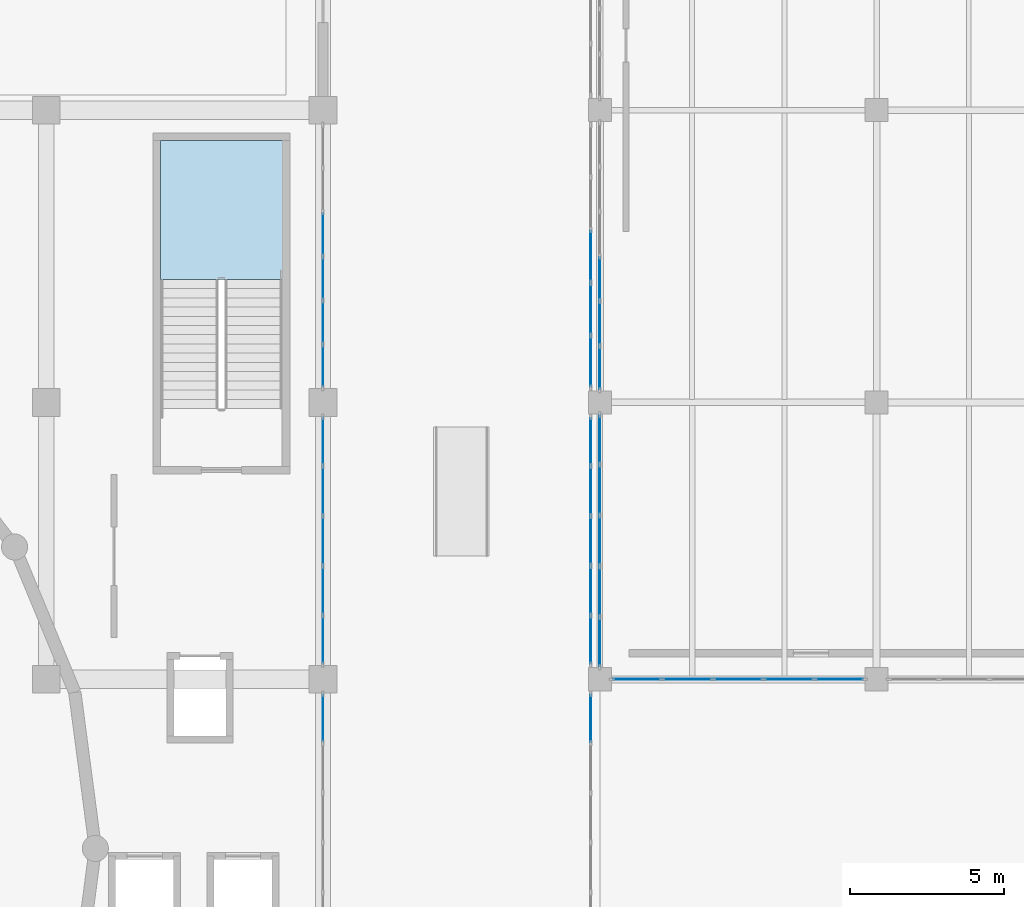
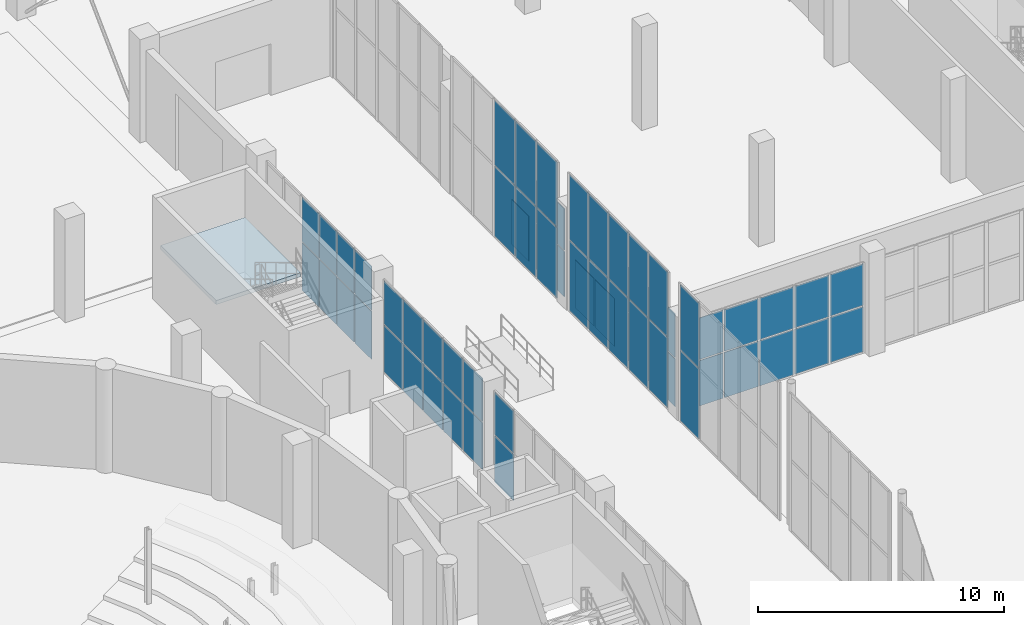
# One storey, part 73 of 103: 64 plates, 1 slab, 10 elements without a shape of their own.
"""IFC4 building model written with IfcOpenShell, lengths in metres."""

from ifc_helpers import new_model, si_unit, direction, frame, origin, origin_2d, place, context, subcontext, project, spatial, polyline, rectangle, outline, extrude, material, layer, layer_set, type_object, element, aggregate, save


model = new_model("IFC4")

# Units and contexts
model_context = context("Model", 3, precision=1e-05, world=origin(), true_north=direction((0.0, 1.0)))
body_context = subcontext(model_context, "Body", "Model", "MODEL_VIEW")
ifc_project = project(units=[si_unit("LENGTHUNIT", "METRE"), si_unit("AREAUNIT", "SQUARE_METRE"), si_unit("VOLUMEUNIT", "CUBIC_METRE"), si_unit("PLANEANGLEUNIT", "RADIAN"), si_unit("MASSUNIT", "GRAM", prefix="KILO")], contexts=[model_context])

# Site, building, storey
site_placement = place(None, origin())
site = spatial("IfcSite", under=ifc_project, at=site_placement, CompositionType="ELEMENT")
building_placement = place(site_placement, origin())
building = spatial("IfcBuilding", under=site, at=building_placement, Name="Marnock Terrace Opera House", CompositionType="ELEMENT")
storey_placement = place(building_placement, origin())
storey = spatial("IfcBuildingStorey", under=building, at=storey_placement, Name="L00", CompositionType="ELEMENT", Elevation=0.0)

# Curtain wall, plates
ifc_material_1 = material(Name="Anodised architectural bronze aluminium framing", Category="aluminium")
ifc_layer_1 = layer(ifc_material_1, 0.159912109375)
ifc_layer_set_1 = layer_set([ifc_layer_1], Name="Anodised architectural bronze aluminium framing")
curtain_wall_type_1 = type_object("IfcCurtainWallType", Name="CW-FOYER-90x51", PredefinedType="NOTDEFINED", material=ifc_layer_set_1)
curtain_wall_1_placement = place(storey_placement, origin())
curtain_wall_1 = element("IfcCurtainWall", 1, at=curtain_wall_1_placement, inside=storey, type_object=curtain_wall_type_1, Name="L00 glazed Beaux-Arts colonnade curtain wall CW-V1E-L00-07", PredefinedType="NOTDEFINED")
ifc_material_2 = material(Name="Double-glazed acoustic low-E laminated glass", Category="glass")
ifc_layer_2 = layer(ifc_material_2, 0.028076171875)
ifc_layer_set_2 = layer_set([ifc_layer_2], Name="Double-glazed acoustic low-E laminated glass")
plate_type_1 = type_object("IfcPlateType", Name="CWP-GLZ-28", PredefinedType="CURTAIN_PANEL", material=ifc_layer_set_2)
plate_1_placement = place(storey_placement, frame((109.0, 64.728271484375, 0.06005859375), z_axis=(0.0, 0.0, 1.0), x_axis=(0.0, 1.0, 0.0)))
plate_1 = element("IfcPlate", 2, at=plate_1_placement, type_object=plate_type_1, Name="CW-31 panel 5.1", PredefinedType="CURTAIN_PANEL", context=body_context, shape_type="SweptSolid", body=[
    extrude(rectangle(XDim=1.531494140625, YDim=0.028076171875, at=origin_2d()), origin(), (0.0, 0.0, 1.0), 2.2822265625),
])
plate_2_placement = place(storey_placement, frame((109.0, 64.728271484375, 2.40234375), z_axis=(0.0, 0.0, 1.0), x_axis=(0.0, 1.0, 0.0)))
plate_2 = element("IfcPlate", 3, at=plate_2_placement, type_object=plate_type_1, Name="CW-31 panel 5.2", PredefinedType="CURTAIN_PANEL", context=body_context, shape_type="SweptSolid", body=[
    extrude(rectangle(XDim=1.531494140625, YDim=0.028076171875, at=origin_2d()), origin(), (0.0, 0.0, 1.0), 2.099853515625),
])
aggregate(curtain_wall_1, [plate_1, plate_2])

curtain_wall_2_placement = place(storey_placement, origin())
curtain_wall_2 = element("IfcCurtainWall", 4, at=curtain_wall_2_placement, inside=storey, type_object=curtain_wall_type_1, Name="L00 glazed Beaux-Arts colonnade curtain wall CW-V1E-L00-09", PredefinedType="NOTDEFINED")
plate_3_placement = place(storey_placement, frame((109.0, 76.17822265625, 0.06005859375), z_axis=(0.0, 0.0, 1.0), x_axis=(0.0, 1.0, 0.0)))
plate_3 = element("IfcPlate", 5, at=plate_3_placement, type_object=plate_type_1, Name="CW-31 panel 1.1", PredefinedType="CURTAIN_PANEL", context=body_context, shape_type="SweptSolid", body=[
    extrude(rectangle(XDim=1.3447265625, YDim=0.028076171875, at=origin_2d()), origin(), (0.0, 0.0, 1.0), 2.371826171875),
])
plate_4_placement = place(storey_placement, frame((109.0, 76.17822265625, 2.491943359375), z_axis=(0.0, 0.0, 1.0), x_axis=(0.0, 1.0, 0.0)))
plate_4 = element("IfcPlate", 6, at=plate_4_placement, type_object=plate_type_1, Name="CW-31 panel 1.2", PredefinedType="CURTAIN_PANEL", context=body_context, shape_type="SweptSolid", body=[
    extrude(rectangle(XDim=1.3447265625, YDim=0.028076171875, at=origin_2d()), origin(), (0.0, 0.0, 1.0), 2.1826171875),
])
plate_5_placement = place(storey_placement, frame((109.0, 77.597900390625, 0.06005859375), z_axis=(0.0, 0.0, 1.0), x_axis=(0.0, 1.0, 0.0)))
plate_5 = element("IfcPlate", 7, at=plate_5_placement, type_object=plate_type_1, Name="CW-31 panel 2.1", PredefinedType="CURTAIN_PANEL", context=body_context, shape_type="SweptSolid", body=[
    extrude(rectangle(XDim=1.374755859375, YDim=0.028076171875, at=origin_2d()), origin(), (0.0, 0.0, 1.0), 2.371826171875),
])
plate_6_placement = place(storey_placement, frame((109.0, 77.597900390625, 2.491943359375), z_axis=(0.0, 0.0, 1.0), x_axis=(0.0, 1.0, 0.0)))
plate_6 = element("IfcPlate", 8, at=plate_6_placement, type_object=plate_type_1, Name="CW-31 panel 2.2", PredefinedType="CURTAIN_PANEL", context=body_context, shape_type="SweptSolid", body=[
    extrude(rectangle(XDim=1.374755859375, YDim=0.028076171875, at=origin_2d()), origin(), (0.0, 0.0, 1.0), 2.1826171875),
])
plate_7_placement = place(storey_placement, frame((109.0, 79.03271484375, 0.06005859375), z_axis=(0.0, 0.0, 1.0), x_axis=(0.0, 1.0, 0.0)))
plate_7 = element("IfcPlate", 9, at=plate_7_placement, type_object=plate_type_1, Name="CW-31 panel 3.1", PredefinedType="CURTAIN_PANEL", context=body_context, shape_type="SweptSolid", body=[
    extrude(rectangle(XDim=1.374755859375, YDim=0.028076171875, at=origin_2d()), origin(), (0.0, 0.0, 1.0), 2.371826171875),
])
plate_8_placement = place(storey_placement, frame((109.0, 79.03271484375, 2.491943359375), z_axis=(0.0, 0.0, 1.0), x_axis=(0.0, 1.0, 0.0)))
plate_8 = element("IfcPlate", 10, at=plate_8_placement, type_object=plate_type_1, Name="CW-31 panel 3.2", PredefinedType="CURTAIN_PANEL", context=body_context, shape_type="SweptSolid", body=[
    extrude(rectangle(XDim=1.374755859375, YDim=0.028076171875, at=origin_2d()), origin(), (0.0, 0.0, 1.0), 2.1826171875),
])
plate_9_placement = place(storey_placement, frame((109.0, 80.46728515625, 0.06005859375), z_axis=(0.0, 0.0, 1.0), x_axis=(0.0, 1.0, 0.0)))
plate_9 = element("IfcPlate", 11, at=plate_9_placement, type_object=plate_type_1, Name="CW-31 panel 4.1", PredefinedType="CURTAIN_PANEL", context=body_context, shape_type="SweptSolid", body=[
    extrude(rectangle(XDim=1.374755859375, YDim=0.028076171875, at=origin_2d()), origin(), (0.0, 0.0, 1.0), 2.371826171875),
])
plate_10_placement = place(storey_placement, frame((109.0, 80.46728515625, 2.491943359375), z_axis=(0.0, 0.0, 1.0), x_axis=(0.0, 1.0, 0.0)))
plate_10 = element("IfcPlate", 12, at=plate_10_placement, type_object=plate_type_1, Name="CW-31 panel 4.2", PredefinedType="CURTAIN_PANEL", context=body_context, shape_type="SweptSolid", body=[
    extrude(rectangle(XDim=1.374755859375, YDim=0.028076171875, at=origin_2d()), origin(), (0.0, 0.0, 1.0), 2.1826171875),
])
aggregate(curtain_wall_2, [plate_3, plate_4, plate_5, plate_6, plate_7, plate_8, plate_9, plate_10])

ifc_layer_3 = layer(ifc_material_1, 0.159912109375)
ifc_layer_set_3 = layer_set([ifc_layer_3], Name="Anodised architectural bronze aluminium framing")
curtain_wall_type_2 = type_object("IfcCurtainWallType", Name="CW-LOGGIA-86x51", PredefinedType="NOTDEFINED", material=ifc_layer_set_3)
curtain_wall_3_placement = place(storey_placement, origin())
curtain_wall_3 = element("IfcCurtainWall", 13, at=curtain_wall_3_placement, inside=storey, type_object=curtain_wall_type_2, Name="L00 glazed Beaux-Arts colonnade curtain wall CW-V5-L00-CN1", PredefinedType="NOTDEFINED")
plate_11_placement = place(storey_placement, frame((119.2119140625, 66.0, 0.06005859375), z_axis=(0.0, 0.0, 1.0), x_axis=(1.0, 0.0, 0.0)))
plate_11 = element("IfcPlate", 14, at=plate_11_placement, type_object=plate_type_1, Name="CW-96 panel 1.1", PredefinedType="CURTAIN_PANEL", context=body_context, shape_type="SweptSolid", body=[
    extrude(rectangle(XDim=1.5615234375, YDim=0.028076171875, at=origin_2d()), origin(), (0.0, 0.0, 1.0), 2.2412109375),
])
plate_12_placement = place(storey_placement, frame((119.2119140625, 66.0, 2.361328125), z_axis=(0.0, 0.0, 1.0), x_axis=(1.0, 0.0, 0.0)))
plate_12 = element("IfcPlate", 15, at=plate_12_placement, type_object=plate_type_1, Name="CW-96 panel 1.2", PredefinedType="CURTAIN_PANEL", context=body_context, shape_type="SweptSolid", body=[
    extrude(rectangle(XDim=1.5615234375, YDim=0.028076171875, at=origin_2d()), origin(), (0.0, 0.0, 1.0), 2.061767578125),
])
plate_13_placement = place(storey_placement, frame((120.848388671875, 66.0, 0.06005859375), z_axis=(0.0, 0.0, 1.0), x_axis=(1.0, 0.0, 0.0)))
plate_13 = element("IfcPlate", 16, at=plate_13_placement, type_object=plate_type_1, Name="CW-96 panel 2.1", PredefinedType="CURTAIN_PANEL", context=body_context, shape_type="SweptSolid", body=[
    extrude(rectangle(XDim=1.591552734375, YDim=0.028076171875, at=origin_2d()), origin(), (0.0, 0.0, 1.0), 2.2412109375),
])
plate_14_placement = place(storey_placement, frame((120.848388671875, 66.0, 2.361328125), z_axis=(0.0, 0.0, 1.0), x_axis=(1.0, 0.0, 0.0)))
plate_14 = element("IfcPlate", 17, at=plate_14_placement, type_object=plate_type_1, Name="CW-96 panel 2.2", PredefinedType="CURTAIN_PANEL", context=body_context, shape_type="SweptSolid", body=[
    extrude(rectangle(XDim=1.591552734375, YDim=0.028076171875, at=origin_2d()), origin(), (0.0, 0.0, 1.0), 2.061767578125),
])
plate_15_placement = place(storey_placement, frame((122.5, 66.0, 0.06005859375), z_axis=(0.0, 0.0, 1.0), x_axis=(1.0, 0.0, 0.0)))
plate_15 = element("IfcPlate", 18, at=plate_15_placement, type_object=plate_type_1, Name="CW-96 panel 3.1", PredefinedType="CURTAIN_PANEL", context=body_context, shape_type="SweptSolid", body=[
    extrude(rectangle(XDim=1.591552734375, YDim=0.028076171875, at=origin_2d()), origin(), (0.0, 0.0, 1.0), 2.2412109375),
])
plate_16_placement = place(storey_placement, frame((122.5, 66.0, 2.361328125), z_axis=(0.0, 0.0, 1.0), x_axis=(1.0, 0.0, 0.0)))
plate_16 = element("IfcPlate", 19, at=plate_16_placement, type_object=plate_type_1, Name="CW-96 panel 3.2", PredefinedType="CURTAIN_PANEL", context=body_context, shape_type="SweptSolid", body=[
    extrude(rectangle(XDim=1.591552734375, YDim=0.028076171875, at=origin_2d()), origin(), (0.0, 0.0, 1.0), 2.061767578125),
])
plate_17_placement = place(storey_placement, frame((124.151611328125, 66.0, 0.06005859375), z_axis=(0.0, 0.0, 1.0), x_axis=(1.0, 0.0, 0.0)))
plate_17 = element("IfcPlate", 20, at=plate_17_placement, type_object=plate_type_1, Name="CW-96 panel 4.1", PredefinedType="CURTAIN_PANEL", context=body_context, shape_type="SweptSolid", body=[
    extrude(rectangle(XDim=1.591552734375, YDim=0.028076171875, at=origin_2d()), origin(), (0.0, 0.0, 1.0), 2.2412109375),
])
plate_18_placement = place(storey_placement, frame((124.151611328125, 66.0, 2.361328125), z_axis=(0.0, 0.0, 1.0), x_axis=(1.0, 0.0, 0.0)))
plate_18 = element("IfcPlate", 21, at=plate_18_placement, type_object=plate_type_1, Name="CW-96 panel 4.2", PredefinedType="CURTAIN_PANEL", context=body_context, shape_type="SweptSolid", body=[
    extrude(rectangle(XDim=1.591552734375, YDim=0.028076171875, at=origin_2d()), origin(), (0.0, 0.0, 1.0), 2.061767578125),
])
plate_19_placement = place(storey_placement, frame((125.7880859375, 66.0, 0.06005859375), z_axis=(0.0, 0.0, 1.0), x_axis=(1.0, 0.0, 0.0)))
plate_19 = element("IfcPlate", 22, at=plate_19_placement, type_object=plate_type_1, Name="CW-96 panel 5.1", PredefinedType="CURTAIN_PANEL", context=body_context, shape_type="SweptSolid", body=[
    extrude(rectangle(XDim=1.5615234375, YDim=0.028076171875, at=origin_2d()), origin(), (0.0, 0.0, 1.0), 2.2412109375),
])
plate_20_placement = place(storey_placement, frame((125.7880859375, 66.0, 2.361328125), z_axis=(0.0, 0.0, 1.0), x_axis=(1.0, 0.0, 0.0)))
plate_20 = element("IfcPlate", 23, at=plate_20_placement, type_object=plate_type_1, Name="CW-96 panel 5.2", PredefinedType="CURTAIN_PANEL", context=body_context, shape_type="SweptSolid", body=[
    extrude(rectangle(XDim=1.5615234375, YDim=0.028076171875, at=origin_2d()), origin(), (0.0, 0.0, 1.0), 2.061767578125),
])
aggregate(curtain_wall_3, [plate_11, plate_12, plate_13, plate_14, plate_15, plate_16, plate_17, plate_18, plate_19, plate_20])

curtain_wall_4_placement = place(storey_placement, origin())
curtain_wall_4 = element("IfcCurtainWall", 24, at=curtain_wall_4_placement, inside=storey, type_object=curtain_wall_type_2, Name="L00 glazed Beaux-Arts colonnade curtain wall CW-V5-L00-W5", PredefinedType="NOTDEFINED")
plate_21_placement = place(storey_placement, frame((118.0, 67.2119140625, 0.06005859375), z_axis=(0.0, 0.0, 1.0), x_axis=(0.0, 1.0, 0.0)))
plate_21 = element("IfcPlate", 25, at=plate_21_placement, type_object=plate_type_1, Name="CW-96 panel 1.1", PredefinedType="CURTAIN_PANEL", context=body_context, shape_type="SweptSolid", body=[
    extrude(rectangle(XDim=1.5615234375, YDim=0.028076171875, at=origin_2d()), origin(), (0.0, 0.0, 1.0), 2.371826171875),
])
plate_22_placement = place(storey_placement, frame((118.0, 67.2119140625, 2.491943359375), z_axis=(0.0, 0.0, 1.0), x_axis=(0.0, 1.0, 0.0)))
plate_22 = element("IfcPlate", 26, at=plate_22_placement, type_object=plate_type_1, Name="CW-96 panel 1.2", PredefinedType="CURTAIN_PANEL", context=body_context, shape_type="SweptSolid", body=[
    extrude(rectangle(XDim=1.5615234375, YDim=0.028076171875, at=origin_2d()), origin(), (0.0, 0.0, 1.0), 2.1826171875),
])
plate_23_placement = place(storey_placement, frame((118.0, 68.848388671875, 0.06005859375), z_axis=(0.0, 0.0, 1.0), x_axis=(0.0, 1.0, 0.0)))
plate_23 = element("IfcPlate", 27, at=plate_23_placement, type_object=plate_type_1, Name="CW-96 panel 2.1", PredefinedType="CURTAIN_PANEL", context=body_context, shape_type="SweptSolid", body=[
    extrude(rectangle(XDim=1.591552734375, YDim=0.028076171875, at=origin_2d()), origin(), (0.0, 0.0, 1.0), 2.371826171875),
])
plate_24_placement = place(storey_placement, frame((118.0, 68.848388671875, 2.491943359375), z_axis=(0.0, 0.0, 1.0), x_axis=(0.0, 1.0, 0.0)))
plate_24 = element("IfcPlate", 28, at=plate_24_placement, type_object=plate_type_1, Name="CW-96 panel 2.2", PredefinedType="CURTAIN_PANEL", context=body_context, shape_type="SweptSolid", body=[
    extrude(rectangle(XDim=1.591552734375, YDim=0.028076171875, at=origin_2d()), origin(), (0.0, 0.0, 1.0), 2.1826171875),
])
plate_25_placement = place(storey_placement, frame((118.0, 70.5, 0.06005859375), z_axis=(0.0, 0.0, 1.0), x_axis=(0.0, 1.0, 0.0)))
plate_25 = element("IfcPlate", 29, at=plate_25_placement, type_object=plate_type_1, Name="CW-96 panel 3.1", PredefinedType="CURTAIN_PANEL", context=body_context, shape_type="SweptSolid", body=[
    extrude(rectangle(XDim=1.591552734375, YDim=0.028076171875, at=origin_2d()), origin(), (0.0, 0.0, 1.0), 2.371826171875),
])
plate_26_placement = place(storey_placement, frame((118.0, 70.5, 2.491943359375), z_axis=(0.0, 0.0, 1.0), x_axis=(0.0, 1.0, 0.0)))
plate_26 = element("IfcPlate", 30, at=plate_26_placement, type_object=plate_type_1, Name="CW-96 panel 3.2", PredefinedType="CURTAIN_PANEL", context=body_context, shape_type="SweptSolid", body=[
    extrude(rectangle(XDim=1.591552734375, YDim=0.028076171875, at=origin_2d()), origin(), (0.0, 0.0, 1.0), 2.1826171875),
])
plate_27_placement = place(storey_placement, frame((118.0, 72.151611328125, 0.06005859375), z_axis=(0.0, 0.0, 1.0), x_axis=(0.0, 1.0, 0.0)))
plate_27 = element("IfcPlate", 31, at=plate_27_placement, type_object=plate_type_1, Name="CW-96 panel 4.1", PredefinedType="CURTAIN_PANEL", context=body_context, shape_type="SweptSolid", body=[
    extrude(rectangle(XDim=1.591552734375, YDim=0.028076171875, at=origin_2d()), origin(), (0.0, 0.0, 1.0), 2.371826171875),
])
plate_28_placement = place(storey_placement, frame((118.0, 72.151611328125, 2.491943359375), z_axis=(0.0, 0.0, 1.0), x_axis=(0.0, 1.0, 0.0)))
plate_28 = element("IfcPlate", 32, at=plate_28_placement, type_object=plate_type_1, Name="CW-96 panel 4.2", PredefinedType="CURTAIN_PANEL", context=body_context, shape_type="SweptSolid", body=[
    extrude(rectangle(XDim=1.591552734375, YDim=0.028076171875, at=origin_2d()), origin(), (0.0, 0.0, 1.0), 2.1826171875),
])
plate_29_placement = place(storey_placement, frame((118.0, 73.7880859375, 0.06005859375), z_axis=(0.0, 0.0, 1.0), x_axis=(0.0, 1.0, 0.0)))
plate_29 = element("IfcPlate", 33, at=plate_29_placement, type_object=plate_type_1, Name="CW-96 panel 5.1", PredefinedType="CURTAIN_PANEL", context=body_context, shape_type="SweptSolid", body=[
    extrude(rectangle(XDim=1.5615234375, YDim=0.028076171875, at=origin_2d()), origin(), (0.0, 0.0, 1.0), 2.371826171875),
])
plate_30_placement = place(storey_placement, frame((118.0, 73.7880859375, 2.491943359375), z_axis=(0.0, 0.0, 1.0), x_axis=(0.0, 1.0, 0.0)))
plate_30 = element("IfcPlate", 34, at=plate_30_placement, type_object=plate_type_1, Name="CW-96 panel 5.2", PredefinedType="CURTAIN_PANEL", context=body_context, shape_type="SweptSolid", body=[
    extrude(rectangle(XDim=1.5615234375, YDim=0.028076171875, at=origin_2d()), origin(), (0.0, 0.0, 1.0), 2.1826171875),
])
aggregate(curtain_wall_4, [plate_21, plate_22, plate_23, plate_24, plate_25, plate_26, plate_27, plate_28, plate_29, plate_30])

ifc_layer_4 = layer(ifc_material_1, 0.159912109375)
ifc_layer_set_4 = layer_set([ifc_layer_4], Name="Anodised architectural bronze aluminium framing")
curtain_wall_type_3 = type_object("IfcCurtainWallType", Name="CW-FOYER-95x51", PredefinedType="NOTDEFINED", material=ifc_layer_set_4)
curtain_wall_5_placement = place(storey_placement, origin())
curtain_wall_5 = element("IfcCurtainWall", 35, at=curtain_wall_5_placement, inside=storey, type_object=curtain_wall_type_3, Name="L00 glazed Beaux-Arts colonnade curtain wall CW-V5-L00-W6", PredefinedType="NOTDEFINED")
plate_31_placement = place(storey_placement, frame((118.0, 76.11572265625, 0.06005859375), z_axis=(0.0, 0.0, 1.0), x_axis=(0.0, 1.0, 0.0)))
plate_31 = element("IfcPlate", 36, at=plate_31_placement, type_object=plate_type_1, Name="CW-24 panel 1.1", PredefinedType="CURTAIN_PANEL", context=body_context, shape_type="SweptSolid", body=[
    extrude(rectangle(XDim=1.36962890625, YDim=0.028076171875, at=origin_2d()), origin(), (0.0, 0.0, 1.0), 2.243896484375),
])
plate_32_placement = place(storey_placement, frame((118.0, 76.11572265625, 2.36376953125), z_axis=(0.0, 0.0, 1.0), x_axis=(0.0, 1.0, 0.0)))
plate_32 = element("IfcPlate", 37, at=plate_32_placement, type_object=plate_type_1, Name="CW-24 panel 1.2", PredefinedType="CURTAIN_PANEL", context=body_context, shape_type="SweptSolid", body=[
    extrude(rectangle(XDim=1.36962890625, YDim=0.028076171875, at=origin_2d()), origin(), (0.0, 0.0, 1.0), 2.064208984375),
])
plate_33_placement = place(storey_placement, frame((118.0, 77.560546875, 0.06005859375), z_axis=(0.0, 0.0, 1.0), x_axis=(0.0, 1.0, 0.0)))
plate_33 = element("IfcPlate", 38, at=plate_33_placement, type_object=plate_type_1, Name="CW-24 panel 2.1", PredefinedType="CURTAIN_PANEL", context=body_context, shape_type="SweptSolid", body=[
    extrude(rectangle(XDim=1.399658203125, YDim=0.028076171875, at=origin_2d()), origin(), (0.0, 0.0, 1.0), 2.243896484375),
])
plate_34_placement = place(storey_placement, frame((118.0, 77.560546875, 2.36376953125), z_axis=(0.0, 0.0, 1.0), x_axis=(0.0, 1.0, 0.0)))
plate_34 = element("IfcPlate", 39, at=plate_34_placement, type_object=plate_type_1, Name="CW-24 panel 2.2", PredefinedType="CURTAIN_PANEL", context=body_context, shape_type="SweptSolid", body=[
    extrude(rectangle(XDim=1.399658203125, YDim=0.028076171875, at=origin_2d()), origin(), (0.0, 0.0, 1.0), 2.064208984375),
])
plate_35_placement = place(storey_placement, frame((118.0, 79.020263671875, 0.06005859375), z_axis=(0.0, 0.0, 1.0), x_axis=(0.0, 1.0, 0.0)))
plate_35 = element("IfcPlate", 40, at=plate_35_placement, type_object=plate_type_1, Name="CW-24 panel 3.1", PredefinedType="CURTAIN_PANEL", context=body_context, shape_type="SweptSolid", body=[
    extrude(rectangle(XDim=1.399658203125, YDim=0.028076171875, at=origin_2d()), origin(), (0.0, 0.0, 1.0), 2.243896484375),
])
plate_36_placement = place(storey_placement, frame((118.0, 79.020263671875, 2.36376953125), z_axis=(0.0, 0.0, 1.0), x_axis=(0.0, 1.0, 0.0)))
plate_36 = element("IfcPlate", 41, at=plate_36_placement, type_object=plate_type_1, Name="CW-24 panel 3.2", PredefinedType="CURTAIN_PANEL", context=body_context, shape_type="SweptSolid", body=[
    extrude(rectangle(XDim=1.399658203125, YDim=0.028076171875, at=origin_2d()), origin(), (0.0, 0.0, 1.0), 2.064208984375),
])
aggregate(curtain_wall_5, [plate_31, plate_32, plate_33, plate_34, plate_35, plate_36])

ifc_layer_5 = layer(ifc_material_1, 0.159912109375)
ifc_layer_set_5 = layer_set([ifc_layer_5], Name="Anodised architectural bronze aluminium framing")
curtain_wall_type_4 = type_object("IfcCurtainWallType", Name="CW-PASSAGE-81x68", PredefinedType="NOTDEFINED", material=ifc_layer_set_5)
curtain_wall_6_placement = place(storey_placement, origin())
curtain_wall_6 = element("IfcCurtainWall", 42, at=curtain_wall_6_placement, inside=storey, type_object=curtain_wall_type_4, Name="L00 glazed Beaux-Arts colonnade curtain wall CW-PASSAGE-L00-07", PredefinedType="NOTDEFINED")
plate_37_placement = place(storey_placement, frame((117.699951171875, 64.72509765625, 0.06005859375), z_axis=(0.0, 0.0, 1.0), x_axis=(0.0, 1.0, 0.0)))
plate_37 = element("IfcPlate", 43, at=plate_37_placement, type_object=plate_type_1, Name="CW-65 panel 5.1", PredefinedType="CURTAIN_PANEL", context=body_context, shape_type="SweptSolid", body=[
    extrude(rectangle(XDim=1.530029296875, YDim=0.028076171875, at=origin_2d()), origin(), (0.0, 0.0, 1.0), 3.471923828125),
])
plate_38_placement = place(storey_placement, frame((117.699951171875, 64.72509765625, 3.591796875), z_axis=(0.0, 0.0, 1.0), x_axis=(0.0, 1.0, 0.0)))
plate_38 = element("IfcPlate", 44, at=plate_38_placement, type_object=plate_type_1, Name="CW-65 panel 5.2", PredefinedType="CURTAIN_PANEL", context=body_context, shape_type="SweptSolid", body=[
    extrude(rectangle(XDim=1.530029296875, YDim=0.028076171875, at=origin_2d()), origin(), (0.0, 0.0, 1.0), 3.197998046875),
])
aggregate(curtain_wall_6, [plate_37, plate_38])

curtain_wall_7_placement = place(storey_placement, origin())
curtain_wall_7 = element("IfcCurtainWall", 45, at=curtain_wall_7_placement, inside=storey, type_object=curtain_wall_type_4, Name="L00 glazed Beaux-Arts colonnade curtain wall CW-PASSAGE-L00-09", PredefinedType="NOTDEFINED")
plate_39_placement = place(storey_placement, frame((117.699951171875, 76.324951171875, 0.06005859375), z_axis=(0.0, 0.0, 1.0), x_axis=(0.0, 1.0, 0.0)))
plate_39 = element("IfcPlate", 46, at=plate_39_placement, type_object=plate_type_1, Name="CW-65 panel 1.1", PredefinedType="CURTAIN_PANEL", context=body_context, shape_type="SweptSolid", body=[
    extrude(rectangle(XDim=1.6298828125, YDim=0.028076171875, at=origin_2d()), origin(), (0.0, 0.0, 1.0), 3.471923828125),
])
plate_40_placement = place(storey_placement, frame((117.699951171875, 76.324951171875, 3.591796875), z_axis=(0.0, 0.0, 1.0), x_axis=(0.0, 1.0, 0.0)))
plate_40 = element("IfcPlate", 47, at=plate_40_placement, type_object=plate_type_1, Name="CW-65 panel 1.2", PredefinedType="CURTAIN_PANEL", context=body_context, shape_type="SweptSolid", body=[
    extrude(rectangle(XDim=1.6298828125, YDim=0.028076171875, at=origin_2d()), origin(), (0.0, 0.0, 1.0), 3.197998046875),
])
plate_41_placement = place(storey_placement, frame((117.699951171875, 78.030029296875, 0.06005859375), z_axis=(0.0, 0.0, 1.0), x_axis=(0.0, 1.0, 0.0)))
plate_41 = element("IfcPlate", 48, at=plate_41_placement, type_object=plate_type_1, Name="CW-65 panel 2.1", PredefinedType="CURTAIN_PANEL", context=body_context, shape_type="SweptSolid", body=[
    extrude(rectangle(XDim=1.659912109375, YDim=0.028076171875, at=origin_2d()), origin(), (0.0, 0.0, 1.0), 3.471923828125),
])
plate_42_placement = place(storey_placement, frame((117.699951171875, 78.030029296875, 3.591796875), z_axis=(0.0, 0.0, 1.0), x_axis=(0.0, 1.0, 0.0)))
plate_42 = element("IfcPlate", 49, at=plate_42_placement, type_object=plate_type_1, Name="CW-65 panel 2.2", PredefinedType="CURTAIN_PANEL", context=body_context, shape_type="SweptSolid", body=[
    extrude(rectangle(XDim=1.659912109375, YDim=0.028076171875, at=origin_2d()), origin(), (0.0, 0.0, 1.0), 3.197998046875),
])
plate_43_placement = place(storey_placement, frame((117.699951171875, 79.75, 0.06005859375), z_axis=(0.0, 0.0, 1.0), x_axis=(0.0, 1.0, 0.0)))
plate_43 = element("IfcPlate", 50, at=plate_43_placement, type_object=plate_type_1, Name="CW-65 panel 3.1", PredefinedType="CURTAIN_PANEL", context=body_context, shape_type="SweptSolid", body=[
    extrude(rectangle(XDim=1.659912109375, YDim=0.028076171875, at=origin_2d()), origin(), (0.0, 0.0, 1.0), 3.471923828125),
])
plate_44_placement = place(storey_placement, frame((117.699951171875, 79.75, 3.591796875), z_axis=(0.0, 0.0, 1.0), x_axis=(0.0, 1.0, 0.0)))
plate_44 = element("IfcPlate", 51, at=plate_44_placement, type_object=plate_type_1, Name="CW-65 panel 3.2", PredefinedType="CURTAIN_PANEL", context=body_context, shape_type="SweptSolid", body=[
    extrude(rectangle(XDim=1.659912109375, YDim=0.028076171875, at=origin_2d()), origin(), (0.0, 0.0, 1.0), 3.197998046875),
])
aggregate(curtain_wall_7, [plate_39, plate_40, plate_41, plate_42, plate_43, plate_44])

curtain_wall_8_placement = place(storey_placement, origin())
curtain_wall_8 = element("IfcCurtainWall", 52, at=curtain_wall_8_placement, inside=storey, type_object=curtain_wall_type_1, Name="L00 glazed Beaux-Arts colonnade curtain wall CW-V1E-L00-08", PredefinedType="NOTDEFINED")
ifc_layer_6 = layer(ifc_material_1, 0.035888671875)
ifc_layer_set_6 = layer_set([ifc_layer_6], Name="Anodised architectural bronze aluminium framing")
plate_type_2 = type_object("IfcPlateType", Name="CWP-SPAND-36", PredefinedType="CURTAIN_PANEL", material=ifc_layer_set_6)
plate_45_placement = place(storey_placement, frame((109.0, 67.271728515625, 0.06005859375), z_axis=(0.0, 0.0, 1.0), x_axis=(0.0, 1.0, 0.0)))
plate_45 = element("IfcPlate", 53, at=plate_45_placement, type_object=plate_type_2, Name="CW-31 panel 1.1", PredefinedType="CURTAIN_PANEL", context=body_context, shape_type="SweptSolid", body=[
    extrude(rectangle(XDim=1.531494140625, YDim=0.028076171875, at=origin_2d()), origin(), (0.0, 0.0, 1.0), 2.319091796875),
])
plate_46_placement = place(storey_placement, frame((109.0, 67.271728515625, 2.43896484375), z_axis=(0.0, 0.0, 1.0), x_axis=(0.0, 1.0, 0.0)))
plate_46 = element("IfcPlate", 54, at=plate_46_placement, type_object=plate_type_2, Name="CW-31 panel 1.2", PredefinedType="CURTAIN_PANEL", context=body_context, shape_type="SweptSolid", body=[
    extrude(rectangle(XDim=1.531494140625, YDim=0.028076171875, at=origin_2d()), origin(), (0.0, 0.0, 1.0), 2.133544921875),
])
plate_47_placement = place(storey_placement, frame((109.0, 68.87841796875, 0.06005859375), z_axis=(0.0, 0.0, 1.0), x_axis=(0.0, 1.0, 0.0)))
plate_47 = element("IfcPlate", 55, at=plate_47_placement, type_object=plate_type_2, Name="CW-31 panel 2.1", PredefinedType="CURTAIN_PANEL", context=body_context, shape_type="SweptSolid", body=[
    extrude(rectangle(XDim=1.5615234375, YDim=0.028076171875, at=origin_2d()), origin(), (0.0, 0.0, 1.0), 2.319091796875),
])
plate_48_placement = place(storey_placement, frame((109.0, 68.87841796875, 2.43896484375), z_axis=(0.0, 0.0, 1.0), x_axis=(0.0, 1.0, 0.0)))
plate_48 = element("IfcPlate", 56, at=plate_48_placement, type_object=plate_type_2, Name="CW-31 panel 2.2", PredefinedType="CURTAIN_PANEL", context=body_context, shape_type="SweptSolid", body=[
    extrude(rectangle(XDim=1.5615234375, YDim=0.028076171875, at=origin_2d()), origin(), (0.0, 0.0, 1.0), 2.133544921875),
])
plate_49_placement = place(storey_placement, frame((109.0, 70.5, 0.06005859375), z_axis=(0.0, 0.0, 1.0), x_axis=(0.0, 1.0, 0.0)))
plate_49 = element("IfcPlate", 57, at=plate_49_placement, type_object=plate_type_2, Name="CW-31 panel 3.1", PredefinedType="CURTAIN_PANEL", context=body_context, shape_type="SweptSolid", body=[
    extrude(rectangle(XDim=1.5615234375, YDim=0.028076171875, at=origin_2d()), origin(), (0.0, 0.0, 1.0), 2.319091796875),
])
plate_50_placement = place(storey_placement, frame((109.0, 70.5, 2.43896484375), z_axis=(0.0, 0.0, 1.0), x_axis=(0.0, 1.0, 0.0)))
plate_50 = element("IfcPlate", 58, at=plate_50_placement, type_object=plate_type_2, Name="CW-31 panel 3.2", PredefinedType="CURTAIN_PANEL", context=body_context, shape_type="SweptSolid", body=[
    extrude(rectangle(XDim=1.5615234375, YDim=0.028076171875, at=origin_2d()), origin(), (0.0, 0.0, 1.0), 2.133544921875),
])
plate_51_placement = place(storey_placement, frame((109.0, 72.12158203125, 0.06005859375), z_axis=(0.0, 0.0, 1.0), x_axis=(0.0, 1.0, 0.0)))
plate_51 = element("IfcPlate", 59, at=plate_51_placement, type_object=plate_type_2, Name="CW-31 panel 4.1", PredefinedType="CURTAIN_PANEL", context=body_context, shape_type="SweptSolid", body=[
    extrude(rectangle(XDim=1.5615234375, YDim=0.028076171875, at=origin_2d()), origin(), (0.0, 0.0, 1.0), 2.319091796875),
])
plate_52_placement = place(storey_placement, frame((109.0, 72.12158203125, 2.43896484375), z_axis=(0.0, 0.0, 1.0), x_axis=(0.0, 1.0, 0.0)))
plate_52 = element("IfcPlate", 60, at=plate_52_placement, type_object=plate_type_2, Name="CW-31 panel 4.2", PredefinedType="CURTAIN_PANEL", context=body_context, shape_type="SweptSolid", body=[
    extrude(rectangle(XDim=1.5615234375, YDim=0.028076171875, at=origin_2d()), origin(), (0.0, 0.0, 1.0), 2.133544921875),
])
plate_53_placement = place(storey_placement, frame((109.0, 73.728271484375, 0.06005859375), z_axis=(0.0, 0.0, 1.0), x_axis=(0.0, 1.0, 0.0)))
plate_53 = element("IfcPlate", 61, at=plate_53_placement, type_object=plate_type_2, Name="CW-31 panel 5.1", PredefinedType="CURTAIN_PANEL", context=body_context, shape_type="SweptSolid", body=[
    extrude(rectangle(XDim=1.531494140625, YDim=0.028076171875, at=origin_2d()), origin(), (0.0, 0.0, 1.0), 2.319091796875),
])
plate_54_placement = place(storey_placement, frame((109.0, 73.728271484375, 2.43896484375), z_axis=(0.0, 0.0, 1.0), x_axis=(0.0, 1.0, 0.0)))
plate_54 = element("IfcPlate", 62, at=plate_54_placement, type_object=plate_type_2, Name="CW-31 panel 5.2", PredefinedType="CURTAIN_PANEL", context=body_context, shape_type="SweptSolid", body=[
    extrude(rectangle(XDim=1.531494140625, YDim=0.028076171875, at=origin_2d()), origin(), (0.0, 0.0, 1.0), 2.133544921875),
])
aggregate(curtain_wall_8, [plate_45, plate_46, plate_47, plate_48, plate_49, plate_50, plate_51, plate_52, plate_53, plate_54])

curtain_wall_9_placement = place(storey_placement, origin())
curtain_wall_9 = element("IfcCurtainWall", 63, at=curtain_wall_9_placement, inside=storey, type_object=curtain_wall_type_4, Name="L00 glazed Beaux-Arts colonnade curtain wall CW-PASSAGE-L00-08", PredefinedType="NOTDEFINED")
plate_55_placement = place(storey_placement, frame((117.699951171875, 67.27490234375, 0.06005859375), z_axis=(0.0, 0.0, 1.0), x_axis=(0.0, 1.0, 0.0)))
plate_55 = element("IfcPlate", 64, at=plate_55_placement, type_object=plate_type_2, Name="CW-65 panel 1.1", PredefinedType="CURTAIN_PANEL", context=body_context, shape_type="SweptSolid", body=[
    extrude(rectangle(XDim=1.530029296875, YDim=0.028076171875, at=origin_2d()), origin(), (0.0, 0.0, 1.0), 3.471923828125),
])
plate_56_placement = place(storey_placement, frame((117.699951171875, 67.27490234375, 3.591796875), z_axis=(0.0, 0.0, 1.0), x_axis=(0.0, 1.0, 0.0)))
plate_56 = element("IfcPlate", 65, at=plate_56_placement, type_object=plate_type_2, Name="CW-65 panel 1.2", PredefinedType="CURTAIN_PANEL", context=body_context, shape_type="SweptSolid", body=[
    extrude(rectangle(XDim=1.530029296875, YDim=0.028076171875, at=origin_2d()), origin(), (0.0, 0.0, 1.0), 3.197998046875),
])
plate_57_placement = place(storey_placement, frame((117.699951171875, 68.8798828125, 0.06005859375), z_axis=(0.0, 0.0, 1.0), x_axis=(0.0, 1.0, 0.0)))
plate_57 = element("IfcPlate", 66, at=plate_57_placement, type_object=plate_type_2, Name="CW-65 panel 2.1", PredefinedType="CURTAIN_PANEL", context=body_context, shape_type="SweptSolid", body=[
    extrude(rectangle(XDim=1.56005859375, YDim=0.028076171875, at=origin_2d()), origin(), (0.0, 0.0, 1.0), 3.471923828125),
])
plate_58_placement = place(storey_placement, frame((117.699951171875, 68.8798828125, 3.591796875), z_axis=(0.0, 0.0, 1.0), x_axis=(0.0, 1.0, 0.0)))
plate_58 = element("IfcPlate", 67, at=plate_58_placement, type_object=plate_type_2, Name="CW-65 panel 2.2", PredefinedType="CURTAIN_PANEL", context=body_context, shape_type="SweptSolid", body=[
    extrude(rectangle(XDim=1.56005859375, YDim=0.028076171875, at=origin_2d()), origin(), (0.0, 0.0, 1.0), 3.197998046875),
])
plate_59_placement = place(storey_placement, frame((117.699951171875, 70.5, 0.06005859375), z_axis=(0.0, 0.0, 1.0), x_axis=(0.0, 1.0, 0.0)))
plate_59 = element("IfcPlate", 68, at=plate_59_placement, type_object=plate_type_2, Name="CW-65 panel 3.1", PredefinedType="CURTAIN_PANEL", context=body_context, shape_type="SweptSolid", body=[
    extrude(rectangle(XDim=1.56005859375, YDim=0.028076171875, at=origin_2d()), origin(), (0.0, 0.0, 1.0), 3.471923828125),
])
plate_60_placement = place(storey_placement, frame((117.699951171875, 70.5, 3.591796875), z_axis=(0.0, 0.0, 1.0), x_axis=(0.0, 1.0, 0.0)))
plate_60 = element("IfcPlate", 69, at=plate_60_placement, type_object=plate_type_2, Name="CW-65 panel 3.2", PredefinedType="CURTAIN_PANEL", context=body_context, shape_type="SweptSolid", body=[
    extrude(rectangle(XDim=1.56005859375, YDim=0.028076171875, at=origin_2d()), origin(), (0.0, 0.0, 1.0), 3.197998046875),
])
plate_61_placement = place(storey_placement, frame((117.699951171875, 72.1201171875, 0.06005859375), z_axis=(0.0, 0.0, 1.0), x_axis=(0.0, 1.0, 0.0)))
plate_61 = element("IfcPlate", 70, at=plate_61_placement, type_object=plate_type_2, Name="CW-65 panel 4.1", PredefinedType="CURTAIN_PANEL", context=body_context, shape_type="SweptSolid", body=[
    extrude(rectangle(XDim=1.56005859375, YDim=0.028076171875, at=origin_2d()), origin(), (0.0, 0.0, 1.0), 3.471923828125),
])
plate_62_placement = place(storey_placement, frame((117.699951171875, 72.1201171875, 3.591796875), z_axis=(0.0, 0.0, 1.0), x_axis=(0.0, 1.0, 0.0)))
plate_62 = element("IfcPlate", 71, at=plate_62_placement, type_object=plate_type_2, Name="CW-65 panel 4.2", PredefinedType="CURTAIN_PANEL", context=body_context, shape_type="SweptSolid", body=[
    extrude(rectangle(XDim=1.56005859375, YDim=0.028076171875, at=origin_2d()), origin(), (0.0, 0.0, 1.0), 3.197998046875),
])
plate_63_placement = place(storey_placement, frame((117.699951171875, 73.72509765625, 0.06005859375), z_axis=(0.0, 0.0, 1.0), x_axis=(0.0, 1.0, 0.0)))
plate_63 = element("IfcPlate", 72, at=plate_63_placement, type_object=plate_type_2, Name="CW-65 panel 5.1", PredefinedType="CURTAIN_PANEL", context=body_context, shape_type="SweptSolid", body=[
    extrude(rectangle(XDim=1.530029296875, YDim=0.028076171875, at=origin_2d()), origin(), (0.0, 0.0, 1.0), 3.471923828125),
])
plate_64_placement = place(storey_placement, frame((117.699951171875, 73.72509765625, 3.591796875), z_axis=(0.0, 0.0, 1.0), x_axis=(0.0, 1.0, 0.0)))
plate_64 = element("IfcPlate", 73, at=plate_64_placement, type_object=plate_type_2, Name="CW-65 panel 5.2", PredefinedType="CURTAIN_PANEL", context=body_context, shape_type="SweptSolid", body=[
    extrude(rectangle(XDim=1.530029296875, YDim=0.028076171875, at=origin_2d()), origin(), (0.0, 0.0, 1.0), 3.197998046875),
])
aggregate(curtain_wall_9, [plate_55, plate_56, plate_57, plate_58, plate_59, plate_60, plate_61, plate_62, plate_63, plate_64])

# Stair, slab
ifc_material_3 = material(Name="Concrete N40 (f'c = 40 MPa)", Category="concrete")
stair_type = type_object("IfcStairType", Name="ST-TYPE-2400", PredefinedType="HALF_TURN_STAIR", material=ifc_material_3)
stair_placement = place(storey_placement, origin())
stair = element("IfcStair", 74, at=stair_placement, inside=storey, type_object=stair_type, Name="L00 ST-04", PredefinedType="HALF_TURN_STAIR")
ifc_material_4 = material(Name="Concrete N32 (f'c = 32 MPa)", Category="concrete")
ifc_layer_7 = layer(ifc_material_4, 0.199951171875)
ifc_layer_set_7 = layer_set([ifc_layer_7], Name="Concrete N32 (f'c = 32 MPa)")
slab_type = type_object("IfcSlabType", Name="SL-LAND-200", PredefinedType="LANDING", material=ifc_layer_set_7)
slab_placement = place(storey_placement, frame((0.0, 0.0, 2.5)))
slab = element("IfcSlab", 75, at=slab_placement, type_object=slab_type, Name="ST-04 landing 1", PredefinedType="LANDING", context=body_context, shape_type="SweptSolid", body=[
    extrude(outline(polyline([(107.679931640625, 79.0), (107.679931640625, 83.52001953125), (103.719970703125, 83.52001953125), (103.719970703125, 79.0), (107.679931640625, 79.0)])), origin(), (0.0, 0.0, 1.0), 0.199951171875),
])
aggregate(stair, [slab])

save(model, "model.ifc")
